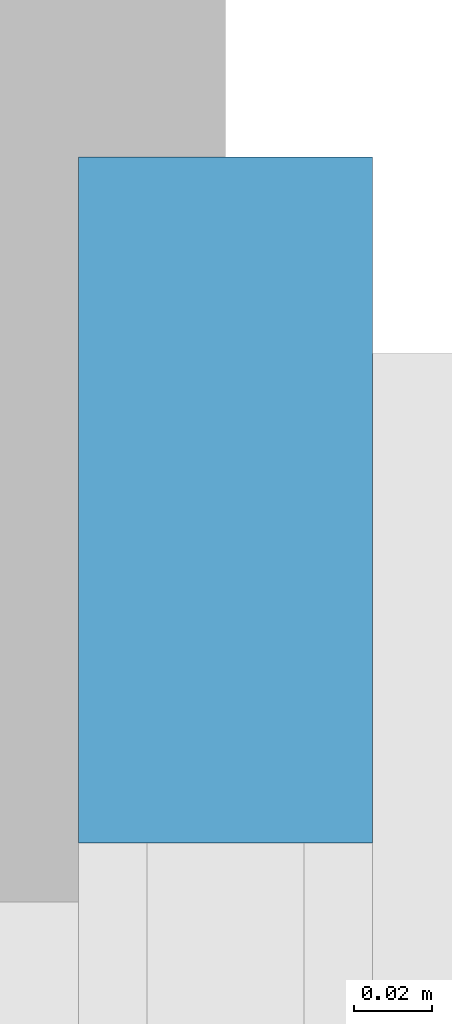
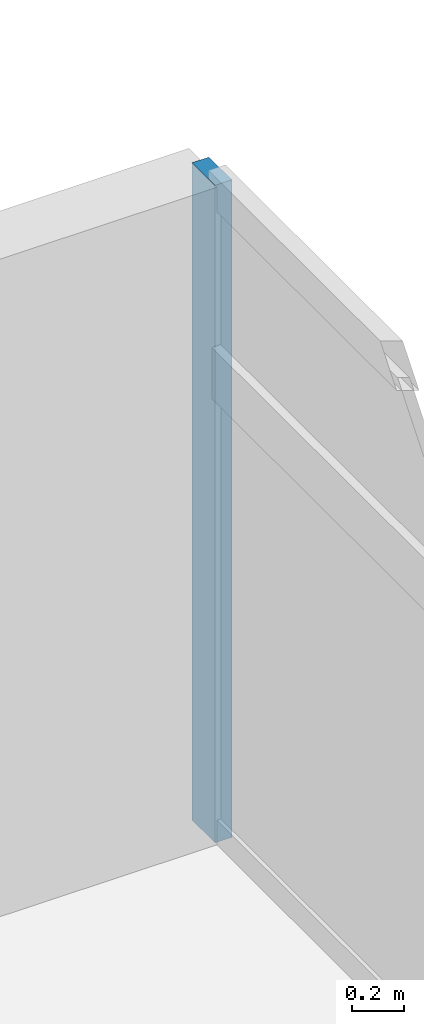
# One storey, part 6 of 14: 1 member, 1 element without a shape of its own.
"""IFC4 building model written with IfcOpenShell, lengths in metres."""

import ifcopenshell
import ifcopenshell.guid

model = None  # the IFC model being written
_history = None  # IfcOwnerHistory: only IFC2X3 demands one
_inside = {}  # id of a spatial element -> (the spatial element, [elements in it])
_under = {}  # id of a project, library or spatial element -> (it, [spatial elements below it])
_declared = {}  # id of a project -> (the project, [libraries it declares])
_typed = {}  # id of a type object -> (the type object, [elements of that type])
_made_of = {}  # id of a material, layer set ... -> (it, [elements and type objects made of it])


def new_model(schema):
    """Start an empty IFC model of exactly this schema.

    Asked for "IFC4X3", IfcOpenShell would pick the latest addendum, in which some entities
    have other attributes; the version numbers below select the first issue.
    IFC2X3 requires an IfcOwnerHistory on every rooted entity: one is made here for all.
    """
    global model, _history
    if schema == "IFC4X3":
        model = ifcopenshell.file(schema_version=(4, 3, 0, 0))
    else:
        model = ifcopenshell.file(schema=schema)
    _inside.clear()
    _under.clear()
    _declared.clear()
    _typed.clear()
    _made_of.clear()
    _history = None
    if model.schema == "IFC2X3":
        org = make("IfcOrganization", Name="unknown")
        user = make(
            "IfcPersonAndOrganization",
            ThePerson=make("IfcPerson", FamilyName="unknown"),
            TheOrganization=org,
        )
        app = make(
            "IfcApplication",
            ApplicationDeveloper=org,
            Version="unknown",
            ApplicationFullName="unknown",
            ApplicationIdentifier="unknown",
        )
        _history = make(
            "IfcOwnerHistory",
            OwningUser=user,
            OwningApplication=app,
            ChangeAction="ADDED",
            CreationDate=0,
        )
    return model


def make(cls, **values):
    """One entity of the class cls with the attributes given. An attribute that is None is left unset."""
    return model.create_entity(
        cls, **{name: value for name, value in values.items() if value is not None}
    )


def rooted(cls, **values):
    """An entity with a GlobalId (a new one), such as an element, a storey or a relation."""
    return make(cls, GlobalId=ifcopenshell.guid.new(), OwnerHistory=_history, **values)


def si_unit(unit_type, name, prefix=None):
    """IfcSIUnit, for example si_unit("LENGTHUNIT", "METRE", prefix="MILLI")."""
    return make("IfcSIUnit", UnitType=unit_type, Prefix=prefix, Name=name)


def assignment(units):
    """IfcUnitAssignment: the units of a project."""
    return None if units is None else make("IfcUnitAssignment", Units=units)


def point(xyz):
    """IfcCartesianPoint."""
    return None if xyz is None else make("IfcCartesianPoint", Coordinates=xyz)


def direction(xyz):
    """IfcDirection."""
    return None if xyz is None else make("IfcDirection", DirectionRatios=xyz)


def frame(location, z_axis=None, x_axis=None):
    """IfcAxis2Placement3D, a coordinate frame: its origin and axes. An axis left out is left unset."""
    return make(
        "IfcAxis2Placement3D",
        Location=point(location),
        Axis=direction(z_axis),
        RefDirection=direction(x_axis),
    )


def frame_2d(location, x_axis=None):
    """IfcAxis2Placement2D, a coordinate frame in the plane: its origin and x axis."""
    return make(
        "IfcAxis2Placement2D", Location=point(location), RefDirection=direction(x_axis)
    )


def origin():
    """The frame at (0, 0, 0) with its axes left unset."""
    return frame((0.0, 0.0, 0.0))


def origin_2d():
    """The frame at (0, 0) in the plane with its x axis left unset."""
    return frame_2d((0.0, 0.0))


def place(relative_to, where):
    """IfcLocalPlacement: puts the frame where relative to a parent placement (None: the world)."""
    return make(
        "IfcLocalPlacement", PlacementRelTo=relative_to, RelativePlacement=where
    )


def context(
    kind, dimensions, precision=None, world=None, true_north=None, identifier=None
):
    """IfcGeometricRepresentationContext, for example the 3D "Model" context."""
    return make(
        "IfcGeometricRepresentationContext",
        ContextIdentifier=identifier,
        ContextType=kind,
        CoordinateSpaceDimension=dimensions,
        Precision=precision,
        WorldCoordinateSystem=world,
        TrueNorth=true_north,
    )


def subcontext(parent, identifier, kind, view, scale=None):
    """IfcGeometricRepresentationSubContext, for example "Body" below "Model"."""
    return make(
        "IfcGeometricRepresentationSubContext",
        ContextIdentifier=identifier,
        ContextType=kind,
        ParentContext=parent,
        TargetScale=scale,
        TargetView=view,
    )


def project(units=None, contexts=None):
    """IfcProject with its units and contexts."""
    return rooted(
        "IfcProject",
        Name="project",
        RepresentationContexts=contexts,
        UnitsInContext=assignment(units),
    )


def spatial(cls, under=None, at=None, **own):
    """A site, building, storey or space (cls), placed at a placement, below another one or the project."""
    s = rooted(cls, ObjectPlacement=at, **own)
    if under is not None:
        _under.setdefault(under.id(), (under, []))[1].append(s)
    return s


def profile(cls, at=None, kind="AREA", **sizes):
    """A parametric profile (cls). Its sizes go by their IFC names, for example OverallWidth=200.0."""
    return make(cls, ProfileType=kind, Position=at, **sizes)


def rectangle(**sizes):
    """IfcRectangleProfileDef."""
    return profile("IfcRectangleProfileDef", **sizes)


def extrude(swept, where, along, depth):
    """IfcExtrudedAreaSolid: the profile swept, set in the frame where, extruded along a direction by depth."""
    return make(
        "IfcExtrudedAreaSolid",
        SweptArea=swept,
        Position=where,
        ExtrudedDirection=direction(along),
        Depth=depth,
    )


def shape(context_of_items, identifier, shape_type, items):
    """IfcShapeRepresentation: the items that make up one representation, for example the "Body"."""
    return make(
        "IfcShapeRepresentation",
        ContextOfItems=context_of_items,
        RepresentationIdentifier=identifier,
        RepresentationType=shape_type,
        Items=items,
    )


def material(Name=None, Category=None):
    """IfcMaterial."""
    return make("IfcMaterial", Name=Name, Category=Category)


def material_profile(
    of_material, cross_section, Name=None, Category=None, Priority=None
):
    """IfcMaterialProfile: a cross section and its material."""
    return make(
        "IfcMaterialProfile",
        Name=Name,
        Material=of_material,
        Profile=cross_section,
        Priority=Priority,
        Category=Category,
    )


def profile_set(profiles, Name=None, composite=None):
    """IfcMaterialProfileSet."""
    return make(
        "IfcMaterialProfileSet",
        Name=Name,
        MaterialProfiles=profiles,
        CompositeProfile=composite,
    )


def made_of(thing, what):
    """Note that an element or type object is made of a material, layer set ...; save() writes the relation."""
    if what is not None:
        _made_of.setdefault(what.id(), (what, []))[1].append(thing)
    return thing


def type_object(cls, material=None, **own):
    """A type object (cls), such as IfcWallType, which elements share."""
    return made_of(rooted(cls, **own), material)


def element(
    cls,
    number,
    at=None,
    inside=None,
    cuts=None,
    type_object=None,
    material=None,
    context=None,
    identifier="Body",
    shape_type=None,
    held_by="IfcProductDefinitionShape",
    body=None,
    shapes=None,
    **own,
):
    """One element of the class cls, such as IfcWall. Its Tag is "e" and its number.

    at: its placement. inside: the storey or other place that contains it. cuts: it is an
    opening in that element (IfcRelVoidsElement). A single representation is given by context,
    identifier, shape_type and body (its items); several are given by shapes. held_by: the class
    of the entity that holds the representations. save() writes the other relations.
    """
    e = rooted(cls, Tag="e%d" % number, ObjectPlacement=at, **own)
    if body is not None:
        shapes = [shape(context, identifier, shape_type, body)]
    if shapes is not None:
        e.Representation = make(held_by, Representations=shapes)
    if inside is not None:
        _inside.setdefault(inside.id(), (inside, []))[1].append(e)
    if cuts is not None:
        rooted(
            "IfcRelVoidsElement", RelatingBuildingElement=cuts, RelatedOpeningElement=e
        )
    if type_object is not None:
        _typed.setdefault(type_object.id(), (type_object, []))[1].append(e)
    return made_of(e, material)


def aggregate(whole, parts):
    """IfcRelAggregates: a whole, such as a stair, and the parts it consists of."""
    return rooted("IfcRelAggregates", RelatingObject=whole, RelatedObjects=parts)


def save(model, path):
    """Write the relations noted so far, then the file.

    IfcRelAggregates (storeys below a building ...), IfcRelContainedInSpatialStructure (elements
    in a storey), IfcRelDefinesByType, IfcRelAssociatesMaterial and IfcRelDeclares: one each for
    every whole, place, type object, material and project.
    """
    for whole, parts in _under.values():
        aggregate(whole, parts)
    for where, things in _inside.values():
        rooted(
            "IfcRelContainedInSpatialStructure",
            RelatedElements=things,
            RelatingStructure=where,
        )
    for kind, things in _typed.values():
        rooted("IfcRelDefinesByType", RelatedObjects=things, RelatingType=kind)
    for what, things in _made_of.values():
        rooted("IfcRelAssociatesMaterial", RelatedObjects=things, RelatingMaterial=what)
    for by, libraries in _declared.values():
        rooted("IfcRelDeclares", RelatingContext=by, RelatedDefinitions=libraries)
    model.write(path)


model = new_model("IFC4")

# Units and contexts
model_context = context("Model", 3, precision=1e-05, world=origin(), true_north=direction((0.0, 1.0)))
body_context = subcontext(model_context, "Body", "Model", "MODEL_VIEW")
ifc_project = project(units=[si_unit("LENGTHUNIT", "METRE"), si_unit("AREAUNIT", "SQUARE_METRE"), si_unit("VOLUMEUNIT", "CUBIC_METRE"), si_unit("PLANEANGLEUNIT", "RADIAN"), si_unit("MASSUNIT", "GRAM", prefix="KILO")], contexts=[model_context])

# Site, building, storey
site_placement = place(None, origin())
site = spatial("IfcSite", under=ifc_project, at=site_placement, CompositionType="ELEMENT")
building_placement = place(site_placement, origin())
building = spatial("IfcBuilding", under=site, at=building_placement, Name="Mirazonda Arch Towers", CompositionType="ELEMENT")
storey_placement = place(building_placement, frame((0.0, 0.0, 235.89990234375)))
storey = spatial("IfcBuildingStorey", under=building, at=storey_placement, Name="L67", CompositionType="ELEMENT", Elevation=235.89990234375)

# Curtain wall, member
ifc_material_1 = material(Name="Anodised Aluminium and Low-E Glass", Category="aluminium")
curtain_wall_type = type_object("IfcCurtainWallType", Name="CW-RES-UNIT", PredefinedType="NOTDEFINED", material=ifc_material_1)
curtain_wall_placement = place(storey_placement, origin())
curtain_wall = element("IfcCurtainWall", 1, at=curtain_wall_placement, inside=storey, type_object=curtain_wall_type, Name="L67 T1 E Facade CW-L67-T1-E", PredefinedType="NOTDEFINED")
ifc_material_2 = material(Name="Anodised Aluminium Alloy", Category="aluminium")
ifc_material_profile = material_profile(ifc_material_2, rectangle(XDim=0.074951171875, YDim=0.175048828125, at=origin_2d()), Name="ALU-MULL-75x175")
ifc_profile_set = profile_set([ifc_material_profile], Name="Anodised Aluminium Alloy")
member_type = type_object("IfcMemberType", Name="MULL-CW-RES-UNIT", PredefinedType="MULLION", material=ifc_profile_set)
member_placement = place(storey_placement, frame((41.97998046875, 41.6025390625, 0.0), z_axis=(0.0, 0.0, 1.0), x_axis=(-1.0, 0.0, 0.0)))
member = element("IfcMember", 2, at=member_placement, type_object=member_type, Name="CW-104 mullion 4", PredefinedType="MULLION", context=body_context, shape_type="SweptSolid", body=[
    extrude(rectangle(XDim=0.074951171875, YDim=0.175048828125, at=origin_2d()), origin(), (0.0, 0.0, 1.0), 3.080078125),
])
aggregate(curtain_wall, [member])

save(model, "model.ifc")
